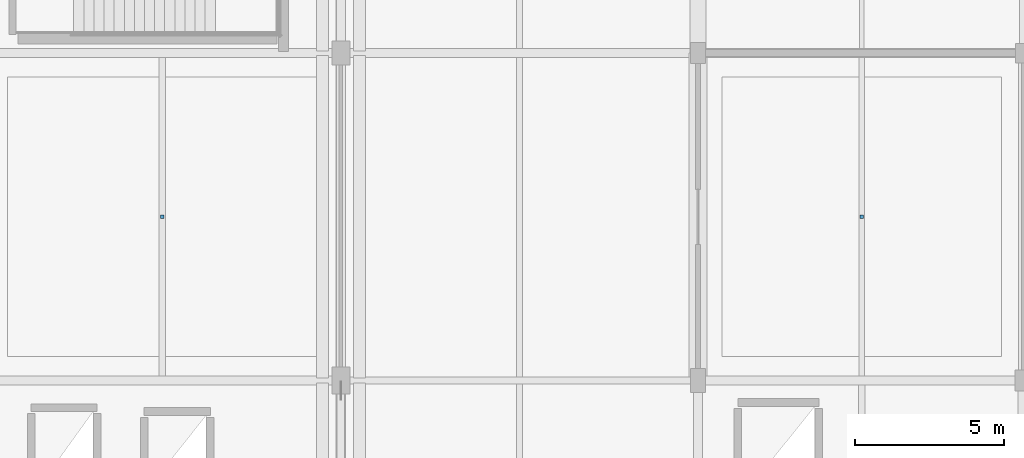
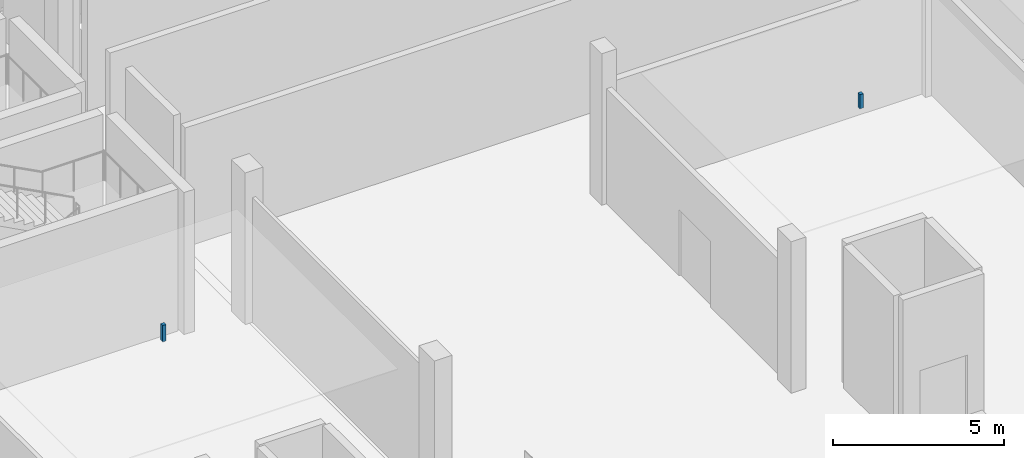
# One storey, part 85 of 120: 2 discrete accessories.
"""IFC4 building model written with IfcOpenShell, lengths in metres."""

import ifcopenshell
import ifcopenshell.guid

model = None  # the IFC model being written
_history = None  # IfcOwnerHistory: only IFC2X3 demands one
_inside = {}  # id of a spatial element -> (the spatial element, [elements in it])
_under = {}  # id of a project, library or spatial element -> (it, [spatial elements below it])
_declared = {}  # id of a project -> (the project, [libraries it declares])
_typed = {}  # id of a type object -> (the type object, [elements of that type])
_made_of = {}  # id of a material, layer set ... -> (it, [elements and type objects made of it])


def new_model(schema):
    """Start an empty IFC model of exactly this schema.

    Asked for "IFC4X3", IfcOpenShell would pick the latest addendum, in which some entities
    have other attributes; the version numbers below select the first issue.
    IFC2X3 requires an IfcOwnerHistory on every rooted entity: one is made here for all.
    """
    global model, _history
    if schema == "IFC4X3":
        model = ifcopenshell.file(schema_version=(4, 3, 0, 0))
    else:
        model = ifcopenshell.file(schema=schema)
    _inside.clear()
    _under.clear()
    _declared.clear()
    _typed.clear()
    _made_of.clear()
    _history = None
    if model.schema == "IFC2X3":
        org = make("IfcOrganization", Name="unknown")
        user = make(
            "IfcPersonAndOrganization",
            ThePerson=make("IfcPerson", FamilyName="unknown"),
            TheOrganization=org,
        )
        app = make(
            "IfcApplication",
            ApplicationDeveloper=org,
            Version="unknown",
            ApplicationFullName="unknown",
            ApplicationIdentifier="unknown",
        )
        _history = make(
            "IfcOwnerHistory",
            OwningUser=user,
            OwningApplication=app,
            ChangeAction="ADDED",
            CreationDate=0,
        )
    return model


def make(cls, **values):
    """One entity of the class cls with the attributes given. An attribute that is None is left unset."""
    return model.create_entity(
        cls, **{name: value for name, value in values.items() if value is not None}
    )


def rooted(cls, **values):
    """An entity with a GlobalId (a new one), such as an element, a storey or a relation."""
    return make(cls, GlobalId=ifcopenshell.guid.new(), OwnerHistory=_history, **values)


def si_unit(unit_type, name, prefix=None):
    """IfcSIUnit, for example si_unit("LENGTHUNIT", "METRE", prefix="MILLI")."""
    return make("IfcSIUnit", UnitType=unit_type, Prefix=prefix, Name=name)


def assignment(units):
    """IfcUnitAssignment: the units of a project."""
    return None if units is None else make("IfcUnitAssignment", Units=units)


def point(xyz):
    """IfcCartesianPoint."""
    return None if xyz is None else make("IfcCartesianPoint", Coordinates=xyz)


def direction(xyz):
    """IfcDirection."""
    return None if xyz is None else make("IfcDirection", DirectionRatios=xyz)


def frame(location, z_axis=None, x_axis=None):
    """IfcAxis2Placement3D, a coordinate frame: its origin and axes. An axis left out is left unset."""
    return make(
        "IfcAxis2Placement3D",
        Location=point(location),
        Axis=direction(z_axis),
        RefDirection=direction(x_axis),
    )


def frame_2d(location, x_axis=None):
    """IfcAxis2Placement2D, a coordinate frame in the plane: its origin and x axis."""
    return make(
        "IfcAxis2Placement2D", Location=point(location), RefDirection=direction(x_axis)
    )


def origin():
    """The frame at (0, 0, 0) with its axes left unset."""
    return frame((0.0, 0.0, 0.0))


def origin_2d():
    """The frame at (0, 0) in the plane with its x axis left unset."""
    return frame_2d((0.0, 0.0))


def place(relative_to, where):
    """IfcLocalPlacement: puts the frame where relative to a parent placement (None: the world)."""
    return make(
        "IfcLocalPlacement", PlacementRelTo=relative_to, RelativePlacement=where
    )


def context(
    kind, dimensions, precision=None, world=None, true_north=None, identifier=None
):
    """IfcGeometricRepresentationContext, for example the 3D "Model" context."""
    return make(
        "IfcGeometricRepresentationContext",
        ContextIdentifier=identifier,
        ContextType=kind,
        CoordinateSpaceDimension=dimensions,
        Precision=precision,
        WorldCoordinateSystem=world,
        TrueNorth=true_north,
    )


def subcontext(parent, identifier, kind, view, scale=None):
    """IfcGeometricRepresentationSubContext, for example "Body" below "Model"."""
    return make(
        "IfcGeometricRepresentationSubContext",
        ContextIdentifier=identifier,
        ContextType=kind,
        ParentContext=parent,
        TargetScale=scale,
        TargetView=view,
    )


def project(units=None, contexts=None):
    """IfcProject with its units and contexts."""
    return rooted(
        "IfcProject",
        Name="project",
        RepresentationContexts=contexts,
        UnitsInContext=assignment(units),
    )


def spatial(cls, under=None, at=None, **own):
    """A site, building, storey or space (cls), placed at a placement, below another one or the project."""
    s = rooted(cls, ObjectPlacement=at, **own)
    if under is not None:
        _under.setdefault(under.id(), (under, []))[1].append(s)
    return s


def profile(cls, at=None, kind="AREA", **sizes):
    """A parametric profile (cls). Its sizes go by their IFC names, for example OverallWidth=200.0."""
    return make(cls, ProfileType=kind, Position=at, **sizes)


def rectangle(**sizes):
    """IfcRectangleProfileDef."""
    return profile("IfcRectangleProfileDef", **sizes)


def extrude(swept, where, along, depth):
    """IfcExtrudedAreaSolid: the profile swept, set in the frame where, extruded along a direction by depth."""
    return make(
        "IfcExtrudedAreaSolid",
        SweptArea=swept,
        Position=where,
        ExtrudedDirection=direction(along),
        Depth=depth,
    )


def shape(context_of_items, identifier, shape_type, items):
    """IfcShapeRepresentation: the items that make up one representation, for example the "Body"."""
    return make(
        "IfcShapeRepresentation",
        ContextOfItems=context_of_items,
        RepresentationIdentifier=identifier,
        RepresentationType=shape_type,
        Items=items,
    )


def material(Name=None, Category=None):
    """IfcMaterial."""
    return make("IfcMaterial", Name=Name, Category=Category)


def layer(
    of_material, thickness, ventilated=None, Name=None, Category=None, Priority=None
):
    """IfcMaterialLayer: one layer of a wall or slab, of a material (None: an air gap)."""
    return make(
        "IfcMaterialLayer",
        Material=of_material,
        LayerThickness=thickness,
        IsVentilated=ventilated,
        Name=Name,
        Category=Category,
        Priority=Priority,
    )


def layer_set(layers, Name=None):
    """IfcMaterialLayerSet."""
    return make("IfcMaterialLayerSet", MaterialLayers=layers, LayerSetName=Name)


def made_of(thing, what):
    """Note that an element or type object is made of a material, layer set ...; save() writes the relation."""
    if what is not None:
        _made_of.setdefault(what.id(), (what, []))[1].append(thing)
    return thing


def type_object(cls, material=None, **own):
    """A type object (cls), such as IfcWallType, which elements share."""
    return made_of(rooted(cls, **own), material)


def element(
    cls,
    number,
    at=None,
    inside=None,
    cuts=None,
    type_object=None,
    material=None,
    context=None,
    identifier="Body",
    shape_type=None,
    held_by="IfcProductDefinitionShape",
    body=None,
    shapes=None,
    **own,
):
    """One element of the class cls, such as IfcWall. Its Tag is "e" and its number.

    at: its placement. inside: the storey or other place that contains it. cuts: it is an
    opening in that element (IfcRelVoidsElement). A single representation is given by context,
    identifier, shape_type and body (its items); several are given by shapes. held_by: the class
    of the entity that holds the representations. save() writes the other relations.
    """
    e = rooted(cls, Tag="e%d" % number, ObjectPlacement=at, **own)
    if body is not None:
        shapes = [shape(context, identifier, shape_type, body)]
    if shapes is not None:
        e.Representation = make(held_by, Representations=shapes)
    if inside is not None:
        _inside.setdefault(inside.id(), (inside, []))[1].append(e)
    if cuts is not None:
        rooted(
            "IfcRelVoidsElement", RelatingBuildingElement=cuts, RelatedOpeningElement=e
        )
    if type_object is not None:
        _typed.setdefault(type_object.id(), (type_object, []))[1].append(e)
    return made_of(e, material)


def aggregate(whole, parts):
    """IfcRelAggregates: a whole, such as a stair, and the parts it consists of."""
    return rooted("IfcRelAggregates", RelatingObject=whole, RelatedObjects=parts)


def save(model, path):
    """Write the relations noted so far, then the file.

    IfcRelAggregates (storeys below a building ...), IfcRelContainedInSpatialStructure (elements
    in a storey), IfcRelDefinesByType, IfcRelAssociatesMaterial and IfcRelDeclares: one each for
    every whole, place, type object, material and project.
    """
    for whole, parts in _under.values():
        aggregate(whole, parts)
    for where, things in _inside.values():
        rooted(
            "IfcRelContainedInSpatialStructure",
            RelatedElements=things,
            RelatingStructure=where,
        )
    for kind, things in _typed.values():
        rooted("IfcRelDefinesByType", RelatedObjects=things, RelatingType=kind)
    for what, things in _made_of.values():
        rooted("IfcRelAssociatesMaterial", RelatedObjects=things, RelatingMaterial=what)
    for by, libraries in _declared.values():
        rooted("IfcRelDeclares", RelatingContext=by, RelatedDefinitions=libraries)
    model.write(path)


model = new_model("IFC4")

# Units and contexts
model_context = context("Model", 3, precision=1e-05, world=origin(), true_north=direction((0.0, 1.0)))
body_context = subcontext(model_context, "Body", "Model", "MODEL_VIEW")
ifc_project = project(units=[si_unit("LENGTHUNIT", "METRE"), si_unit("AREAUNIT", "SQUARE_METRE"), si_unit("VOLUMEUNIT", "CUBIC_METRE"), si_unit("PLANEANGLEUNIT", "RADIAN"), si_unit("MASSUNIT", "GRAM", prefix="KILO")], contexts=[model_context])

# Site, building, storey
site_placement = place(None, origin())
site = spatial("IfcSite", under=ifc_project, at=site_placement, CompositionType="ELEMENT")
building_placement = place(site_placement, origin())
building = spatial("IfcBuilding", under=site, at=building_placement, Name="Luwafu Chhajja Arena", CompositionType="ELEMENT")
storey_placement = place(building_placement, origin())
storey = spatial("IfcBuildingStorey", under=building, at=storey_placement, Name="L00", CompositionType="ELEMENT", Elevation=0.0)

# Discrete accessories
ifc_material = material(Name="Stainless steel bracket", Category="steel")
ifc_layer = layer(ifc_material, 0.179931640625, Name="Stainless steel bracket")
ifc_layer_set = layer_set([ifc_layer], Name="Stainless steel bracket")
discrete_accessory_type = type_object("IfcDiscreteAccessoryType", Name="Stainless Steel Facade Support Bracket", PredefinedType="BRACKET", material=ifc_layer_set)
discrete_accessory_1_placement = place(storey_placement, frame((158.0, 38.5, 4.52294921875), z_axis=(0.0, 0.0, 1.0), x_axis=(1.0, 0.0, 0.0)))
element("IfcDiscreteAccessory", 1, at=discrete_accessory_1_placement, inside=storey, type_object=discrete_accessory_type, Name="L00 Ceiling Suspension Hanger 014", PredefinedType="BRACKET", context=body_context, shape_type="SweptSolid", body=[
    extrude(rectangle(XDim=0.1201171875, YDim=0.1201171875, at=origin_2d()), origin(), (0.0, 0.0, 1.0), 0.587158203125),
])
discrete_accessory_2_placement = place(storey_placement, frame((181.5, 38.5, 4.6015625), z_axis=(0.0, 0.0, 1.0), x_axis=(1.0, 0.0, 0.0)))
element("IfcDiscreteAccessory", 2, at=discrete_accessory_2_placement, inside=storey, type_object=discrete_accessory_type, Name="L00 Ceiling Suspension Hanger 018", PredefinedType="BRACKET", context=body_context, shape_type="SweptSolid", body=[
    extrude(rectangle(XDim=0.1201171875, YDim=0.1201171875, at=origin_2d()), origin(), (0.0, 0.0, 1.0), 0.508544921875),
])

save(model, "model.ifc")
